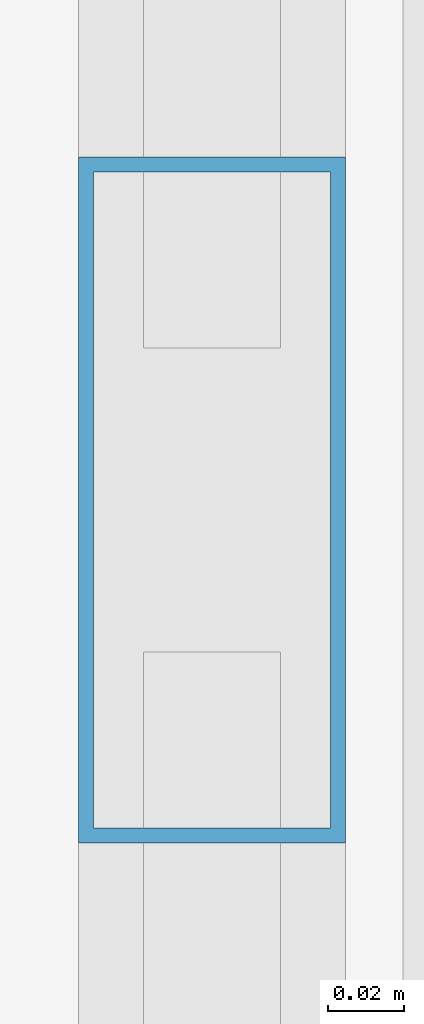
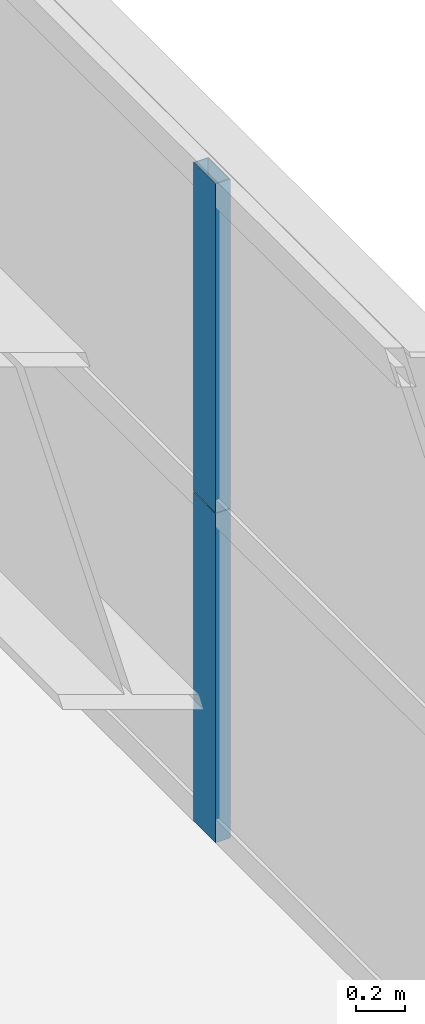
# One storey, part 22 of 45: 2 members, 1 element without a shape of its own.
"""IFC4 building model written with IfcOpenShell, lengths in metres."""

from ifc_helpers import new_model, si_unit, direction, frame, origin, origin_2d, place, context, subcontext, project, spatial, hollow_rectangle, extrude, source, transform, mapped, material, layer, layer_set, material_profile, profile_set, type_object, element, aggregate, save


model = new_model("IFC4")

# Units and contexts
model_context = context("Model", 3, precision=1e-05, world=origin(), true_north=direction((0.0, 1.0)))
body_context = subcontext(model_context, "Body", "Model", "MODEL_VIEW")
ifc_project = project(units=[si_unit("LENGTHUNIT", "METRE"), si_unit("AREAUNIT", "SQUARE_METRE"), si_unit("VOLUMEUNIT", "CUBIC_METRE"), si_unit("PLANEANGLEUNIT", "RADIAN"), si_unit("MASSUNIT", "GRAM", prefix="KILO"), si_unit("THERMODYNAMICTEMPERATUREUNIT", "KELVIN"), si_unit("POWERUNIT", "WATT")], contexts=[model_context])

# Site, building, storey
site_placement = place(None, origin())
site = spatial("IfcSite", under=ifc_project, at=site_placement, CompositionType="ELEMENT")
building_placement = place(site_placement, origin())
building = spatial("IfcBuilding", under=site, at=building_placement, Name="Yuzanri Waterfront Tower", CompositionType="ELEMENT")
storey_placement = place(building_placement, frame((0.0, 0.0, 163.199951171875)))
storey = spatial("IfcBuildingStorey", under=building, at=storey_placement, Name="L43", CompositionType="ELEMENT", Elevation=163.199951171875)

# Curtain wall, members
ifc_material_1 = material(Name="Anodized Architectural Bronze", Category="metal")
ifc_layer = layer(ifc_material_1, 0.159912109375)
ifc_layer_set = layer_set([ifc_layer], Name="Anodized Architectural Bronze")
curtain_wall_type = type_object("IfcCurtainWallType", Name="Anodized Bronze Hotel Upper-Tier Solar-Control Unitized Curtain Wall 7800", PredefinedType="NOTDEFINED", material=ifc_layer_set)
curtain_wall_placement = place(storey_placement, origin())
curtain_wall = element("IfcCurtainWall", 1, at=curtain_wall_placement, inside=storey, type_object=curtain_wall_type, Name="L43 Curtain Wall CW-L43-EL", PredefinedType="NOTDEFINED")
ifc_material_2 = material(Name="Anodized Architectural Bronze", Category="metal")
ifc_material_profile = material_profile(ifc_material_2, hollow_rectangle(XDim=0.070068359375, YDim=0.179931640625, WallThickness=0.00390625, at=origin_2d()), Name="CWM 70x180")
ifc_profile_set = profile_set([ifc_material_profile], Name="Anodized Architectural Bronze")
member_type = type_object("IfcMemberType", Name="Anodized Bronze Standard Curtain-Wall Mullion 70x180", PredefinedType="MULLION", material=ifc_profile_set)
shared_shape = source(origin(), body_context, "Body", "SweptSolid", [
    extrude(hollow_rectangle(XDim=0.070068359375, YDim=0.179931640625, WallThickness=0.00390625, at=origin_2d()), origin(), (0.0, 0.0, 1.0), 1.64794921875),
])
member_1_placement = place(storey_placement, frame((60.449951171875, 17.449951171875, 0.0), z_axis=(0.0, 0.0, 1.0), x_axis=(1.0, 0.0, 0.0)))
member_1 = element("IfcMember", 2, at=member_1_placement, type_object=member_type, Name="CW-L43-EL Lower Mullion 01", PredefinedType="MULLION", context=body_context, shape_type="MappedRepresentation", body=[
    mapped(shared_shape, transform((0.0, 0.0, 0.0), scale=1.0)),
])
member_2_placement = place(storey_placement, frame((60.449951171875, 17.449951171875, 1.652099609375), z_axis=(0.0, 0.0, 1.0), x_axis=(1.0, 0.0, 0.0)))
member_2 = element("IfcMember", 3, at=member_2_placement, type_object=member_type, Name="CW-L43-EL Upper Mullion 01", PredefinedType="MULLION", context=body_context, shape_type="MappedRepresentation", body=[
    mapped(shared_shape, transform((0.0, 0.0, 0.0), scale=1.0)),
])
aggregate(curtain_wall, [member_1, member_2])

save(model, "model.ifc")
